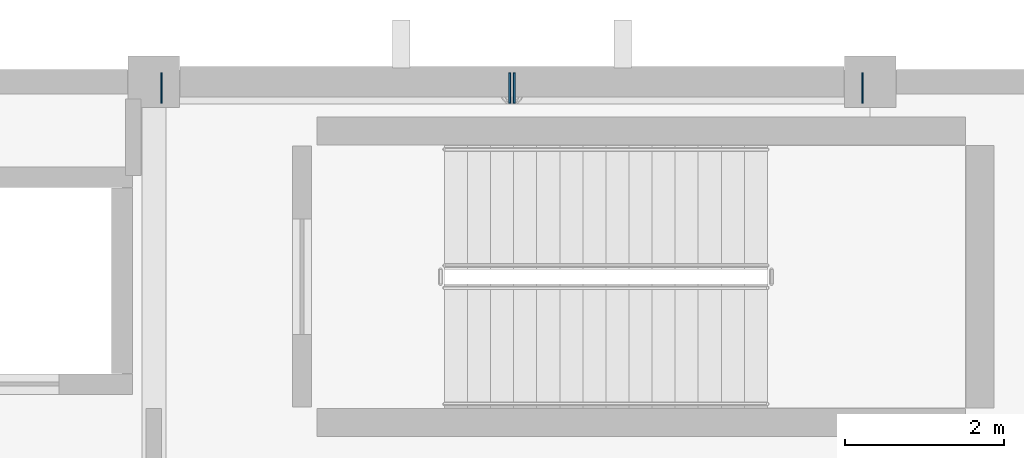
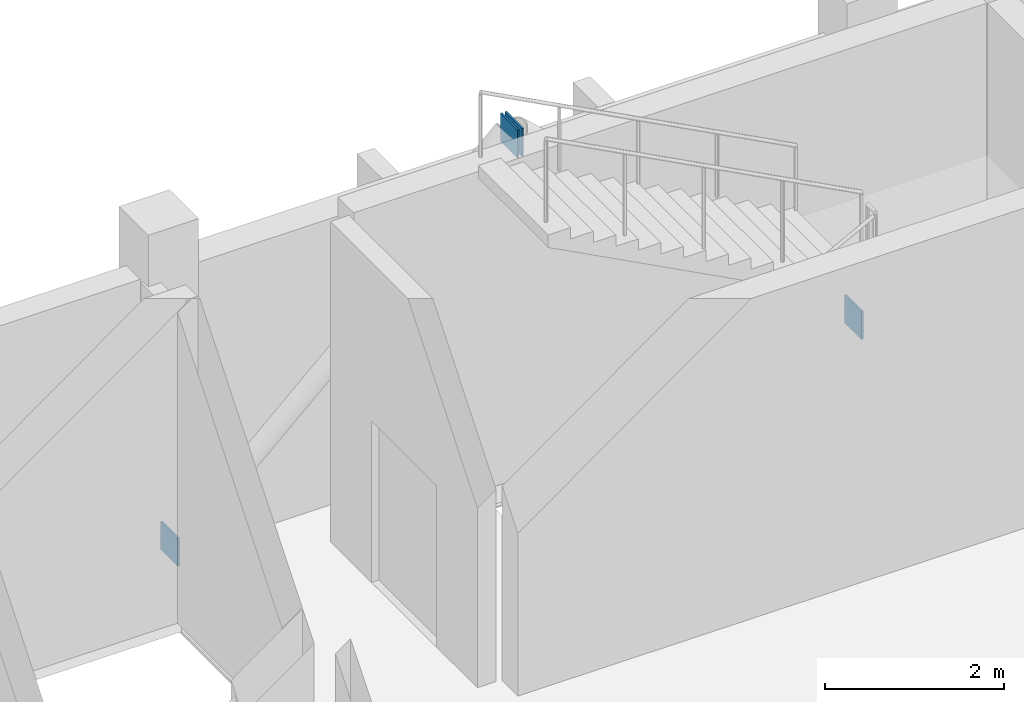
# One storey, part 150 of 172: 4 plates.
"""IFC4 building model written with IfcOpenShell, lengths in metres."""

from ifc_helpers import new_model, si_unit, direction, frame, origin, origin_2d, place, context, subcontext, project, spatial, rectangle, extrude, material, layer, layer_set, type_object, element, save


model = new_model("IFC4")

# Units and contexts
model_context = context("Model", 3, precision=1e-05, world=origin(), true_north=direction((0.0, 1.0)))
body_context = subcontext(model_context, "Body", "Model", "MODEL_VIEW")
ifc_project = project(units=[si_unit("LENGTHUNIT", "METRE"), si_unit("AREAUNIT", "SQUARE_METRE"), si_unit("VOLUMEUNIT", "CUBIC_METRE"), si_unit("PLANEANGLEUNIT", "RADIAN"), si_unit("MASSUNIT", "GRAM", prefix="KILO")], contexts=[model_context])

# Site, building, storey
site_placement = place(None, origin())
site = spatial("IfcSite", under=ifc_project, at=site_placement, CompositionType="ELEMENT")
building_placement = place(site_placement, origin())
building = spatial("IfcBuilding", under=site, at=building_placement, Name="Shengluoqiao Park Theatre", CompositionType="ELEMENT")
storey_placement = place(building_placement, frame((0.0, 0.0, 5.39990234375)))
storey = spatial("IfcBuildingStorey", under=building, at=storey_placement, Name="L01", CompositionType="ELEMENT", Elevation=5.39990234375)

# Plates
ifc_material = material(Name="Steel Q390", Category="steel")
ifc_layer = layer(ifc_material, 0.02392578125, Name="Steel Q390")
ifc_layer_set = layer_set([ifc_layer], Name="Steel Q390")
plate_type = type_object("IfcPlateType", Name="STR-PLT-EC-360", PredefinedType="SHEET", material=ifc_layer_set)
for number, where, z_axis, x_axis, name in (
    (1, (130.49658203125, 113.919921875, -0.081298828125), (0.0, 0.0, 1.0), (1.0, 0.0, 0.0), "Hollow Tube End Cap Plate 00148"),
    (2, (134.870849609375, 113.919921875, 3.944091796875), (0.0, 0.0, 1.0), (1.0, 0.0, 0.0), "Hollow Tube End Cap Plate 00149"),
    (3, (139.303466796875, 113.919921875, -0.081298828125), (0.0, 0.0, 1.0), (-1.0, 0.0, 0.0), "Hollow Tube End Cap Plate 00150"),
    (4, (134.92919921875, 113.919921875, 3.944091796875), (0.0, 0.0, 1.0), (-1.0, 0.0, 0.0), "Hollow Tube End Cap Plate 00151"),
):
    element("IfcPlate", number, at=place(storey_placement, frame(where, z_axis=z_axis, x_axis=x_axis)), inside=storey, type_object=plate_type, Name=name, PredefinedType="SHEET", context=body_context, shape_type="SweptSolid", body=[
        extrude(rectangle(XDim=0.02392578125, YDim=0.3798828125, at=origin_2d()), origin(), (0.0, 0.0, 1.0), 0.3798828125),
    ])

save(model, "model.ifc")
